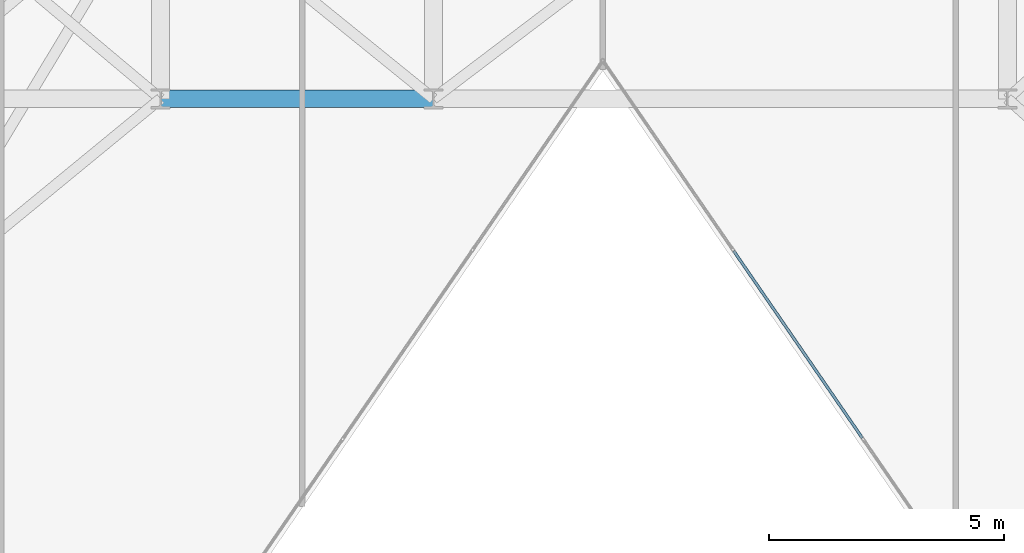
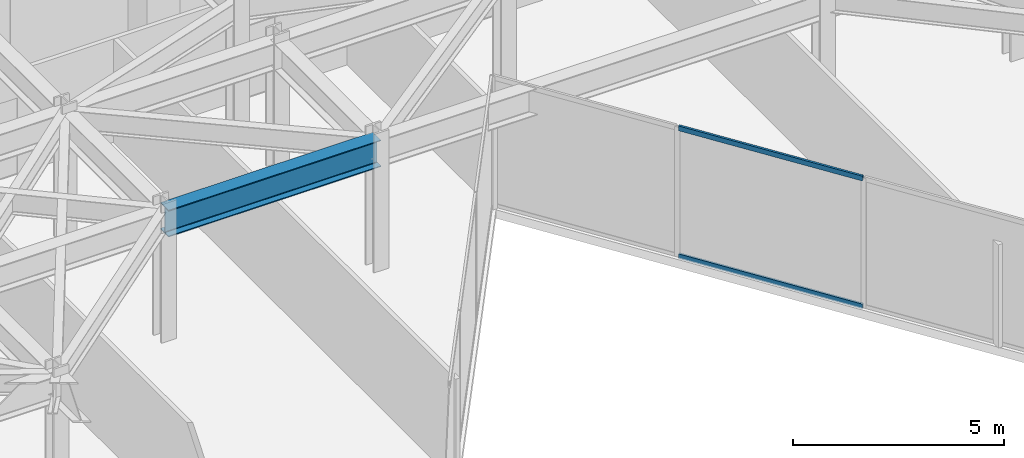
# One storey, part 7 of 26: 2 members, 1 beam, 1 element without a shape of its own.
"""IFC4 building model written with IfcOpenShell, lengths in metres."""

from ifc_helpers import new_model, si_unit, direction, frame, origin, origin_2d, place, context, subcontext, project, spatial, hollow_rectangle, i_section, extrude, material, layer, layer_set, material_profile, profile_set, type_object, element, aggregate, save


model = new_model("IFC4")

# Units and contexts
model_context = context("Model", 3, precision=1e-05, world=origin(), true_north=direction((0.0, 1.0)))
body_context = subcontext(model_context, "Body", "Model", "MODEL_VIEW")
ifc_project = project(units=[si_unit("LENGTHUNIT", "METRE"), si_unit("AREAUNIT", "SQUARE_METRE"), si_unit("VOLUMEUNIT", "CUBIC_METRE"), si_unit("PLANEANGLEUNIT", "RADIAN"), si_unit("MASSUNIT", "GRAM", prefix="KILO")], contexts=[model_context])

# Site, building, storey
site_placement = place(None, origin())
site = spatial("IfcSite", under=ifc_project, at=site_placement, CompositionType="ELEMENT")
building_placement = place(site_placement, origin())
building = spatial("IfcBuilding", under=site, at=building_placement, Name="Kravanh Interchange Tower", CompositionType="ELEMENT")
storey_placement = place(building_placement, frame((0.0, 0.0, 180.5)))
storey = spatial("IfcBuildingStorey", under=building, at=storey_placement, Name="L43", CompositionType="ELEMENT", Elevation=180.5)

# Curtain wall, members
ifc_material_1 = material(Name="Anodised Bronze Aluminium", Category="aluminium")
ifc_layer = layer(ifc_material_1, 0.179931640625)
ifc_layer_set = layer_set([ifc_layer], Name="Unitised Curtain Wall System CW-Z3 Upper Office")
curtain_wall_type = type_object("IfcCurtainWallType", Name="Unitised Curtain Wall System CW-Z3 Upper Office", PredefinedType="NOTDEFINED", material=ifc_layer_set)
curtain_wall_placement = place(storey_placement, origin())
curtain_wall = element("IfcCurtainWall", 1, at=curtain_wall_placement, inside=storey, type_object=curtain_wall_type, Name="L43 Unitised Curtain Wall CW-L43-04", PredefinedType="NOTDEFINED")
ifc_material_2 = material(Name="Anodised Bronze Aluminium", Category="aluminium")
ifc_material_profile_1 = material_profile(ifc_material_2, hollow_rectangle(XDim=0.06005859375, YDim=0.139892578125, WallThickness=0.00390625, at=origin_2d()), Name="ALU60X140X4")
ifc_profile_set_1 = profile_set([ifc_material_profile_1], Name="Anodised Bronze Aluminium")
member_type = type_object("IfcMemberType", Name="Curtain Wall Transom ALU60X140X4 Bronze", PredefinedType="USERDEFINED", material=ifc_profile_set_1)
member_1_placement = place(storey_placement, frame((47.714599609375, 19.590576171875, 0.030029296875), z_axis=(-0.566537417683, 0.824036015211, 0.0), x_axis=(-0.824036015211, -0.566537417683, 0.0)))
member_1 = element("IfcMember", 2, at=member_1_placement, type_object=member_type, Name="CW-Z3 transom 3.1", ObjectType="TRANSOM", PredefinedType="USERDEFINED", context=body_context, shape_type="SweptSolid", body=[
    extrude(hollow_rectangle(XDim=0.06005859375, YDim=0.139892578125, WallThickness=0.00390625, at=origin_2d()), origin(), (0.0, 0.0, 1.0), 4.822265625),
])
member_2_placement = place(storey_placement, frame((47.714599609375, 19.590576171875, 3.72509765625), z_axis=(-0.566537417683, 0.824036015211, 0.0), x_axis=(-0.824036015211, -0.566537417683, 0.0)))
member_2 = element("IfcMember", 3, at=member_2_placement, type_object=member_type, Name="CW-Z3 transom 3.2", ObjectType="TRANSOM", PredefinedType="USERDEFINED", context=body_context, shape_type="SweptSolid", body=[
    extrude(hollow_rectangle(XDim=0.06005859375, YDim=0.139892578125, WallThickness=0.00390625, at=origin_2d()), origin(), (0.0, 0.0, 1.0), 4.822265625),
])
aggregate(curtain_wall, [member_1, member_2])

# Beam
ifc_material_3 = material(Name="Structural Steel S355", Category="steel")
ifc_material_profile_2 = material_profile(ifc_material_3, i_section(OverallWidth=0.381103515625, OverallDepth=0.77294921875, WebThickness=0.0166015625, FlangeThickness=0.027099609375, FilletRadius=0.02490234375, at=origin_2d()), Name="W30X173")
ifc_profile_set_2 = profile_set([ifc_material_profile_2], Name="Structural Steel S355")
beam_type = type_object("IfcBeamType", Name="Floor Beam W30X173 Structural Steel S355", PredefinedType="BEAM", material=ifc_profile_set_2)
beam_placement = place(storey_placement, frame((32.800048828125, 26.800048828125, 3.368408203125), z_axis=(1.0, 0.0, 0.0), x_axis=(0.0, 1.0, 0.0)))
element("IfcBeam", 4, at=beam_placement, inside=storey, type_object=beam_type, Name="L43 Primary Floor Girder 42", PredefinedType="BEAM", context=body_context, shape_type="SweptSolid", body=[
    extrude(i_section(OverallWidth=0.381103515625, OverallDepth=0.77294921875, WebThickness=0.0166015625, FlangeThickness=0.027099609375, FilletRadius=0.02490234375, at=origin_2d()), origin(), (0.0, 0.0, 1.0), 5.800048828125),
])

save(model, "model.ifc")
